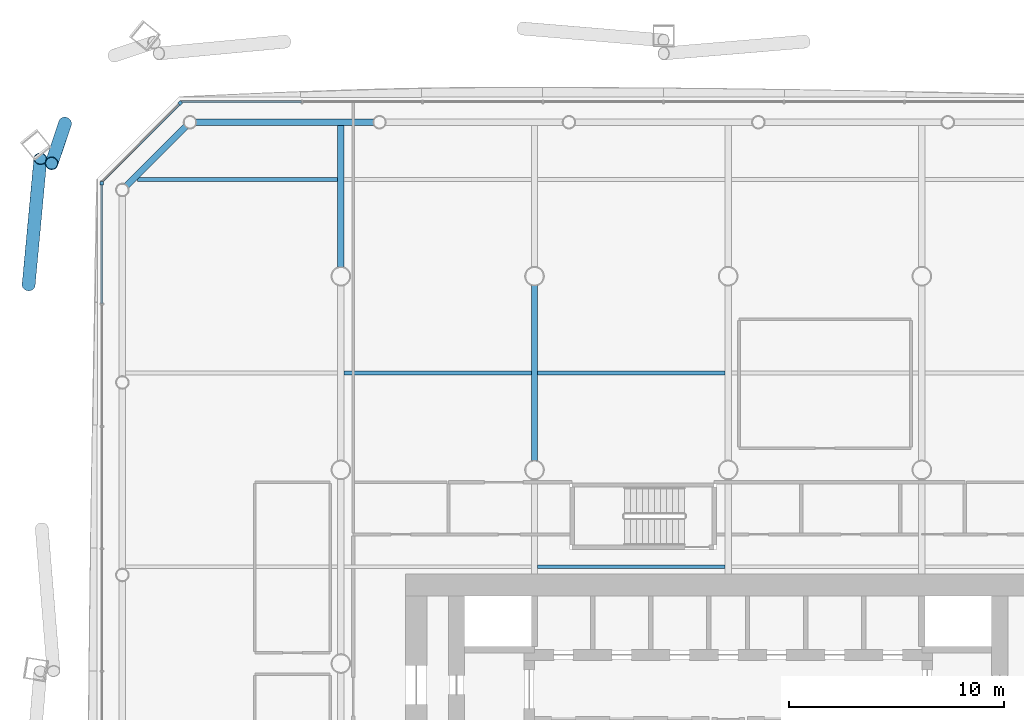
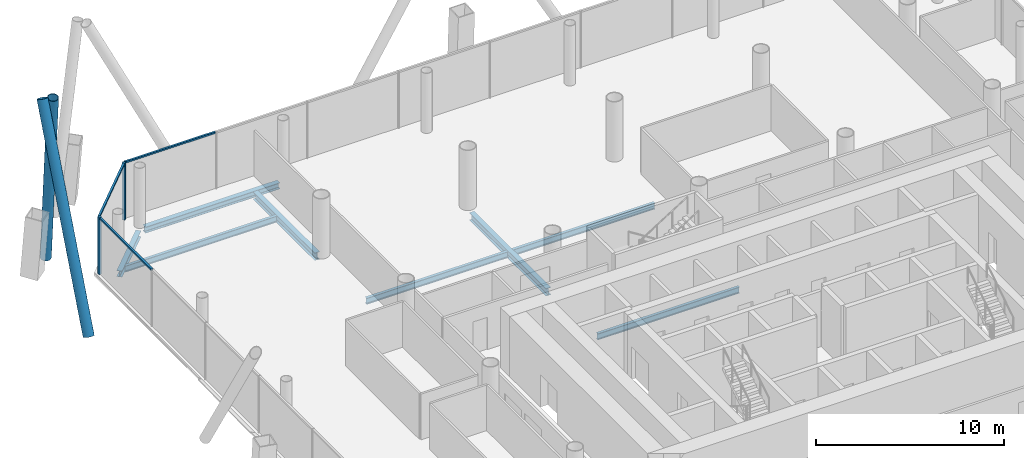
# One storey, part 8 of 21: 8 beams, 7 members, 3 elements without a shape of their own.
"""IFC4 building model written with IfcOpenShell, lengths in metres."""

from ifc_helpers import new_model, si_unit, direction, frame, origin, origin_2d, place, context, subcontext, project, spatial, rectangle, hollow_circle, i_section, extrude, material, material_profile, profile_set, type_object, element, aggregate, save


model = new_model("IFC4")

# Units and contexts
model_context = context("Model", 3, precision=1e-05, world=origin(), true_north=direction((0.0, 1.0)))
body_context = subcontext(model_context, "Body", "Model", "MODEL_VIEW")
ifc_project = project(units=[si_unit("LENGTHUNIT", "METRE"), si_unit("AREAUNIT", "SQUARE_METRE"), si_unit("VOLUMEUNIT", "CUBIC_METRE"), si_unit("PLANEANGLEUNIT", "RADIAN"), si_unit("MASSUNIT", "GRAM", prefix="KILO")], contexts=[model_context])

# Site, building, storey
site_placement = place(None, origin())
site = spatial("IfcSite", under=ifc_project, at=site_placement, CompositionType="ELEMENT")
building_placement = place(site_placement, origin())
building = spatial("IfcBuilding", under=site, at=building_placement, Name="Tskaro Facet Tower", CompositionType="ELEMENT")
storey_placement = place(building_placement, frame((0.0, 0.0, 45.89990234375)))
storey = spatial("IfcBuildingStorey", under=building, at=storey_placement, Name="L10", CompositionType="ELEMENT", Elevation=45.89990234375)

# Members
ifc_material_1 = material(Name="Steel S355J2H", Category="steel")
ifc_material_profile_1 = material_profile(ifc_material_1, hollow_circle(Radius=0.304931640625, WallThickness=0.030029296875, at=origin_2d()), Name="CHS 610x30")
ifc_profile_set_1 = profile_set([ifc_material_profile_1], Name="Steel S355J2H")
member_type_1 = type_object("IfcMemberType", Name="CHS 610x30 brace", PredefinedType="BRACE", material=ifc_profile_set_1)
member_1_placement = place(storey_placement, frame((-30.82373046875, 25.093994140625, 0.0), z_axis=(-0.052239860145, -0.155690426373, 0.986423584546), x_axis=(0.948054746371, -0.318107211302, 0.0)))
element("IfcMember", 1, at=member_1_placement, inside=storey, type_object=member_type_1, Name="CHS 610x30 XB09A/1", PredefinedType="BRACE", context=body_context, shape_type="SweptSolid", body=[
    extrude(hollow_circle(Radius=0.304931640625, WallThickness=0.030029296875, at=origin_2d()), origin(), (0.0, 0.0, 1.0), 11.861328125),
])
member_2_placement = place(storey_placement, frame((-32.51171875, 17.59716796875, 0.0), z_axis=(0.041803171614, 0.447776638968, 0.893167720217), x_axis=(-0.995670497029, 0.092953006112, 0.0)))
element("IfcMember", 2, at=member_2_placement, inside=storey, type_object=member_type_1, Name="CHS 610x30 XB10B/1", PredefinedType="BRACE", context=body_context, shape_type="SweptSolid", body=[
    extrude(hollow_circle(Radius=0.304931640625, WallThickness=0.030029296875, at=origin_2d()), origin(), (0.0, 0.0, 1.0), 13.099609375),
])

# Curtain wall, member
ifc_material_2 = material(Name="Bronze anodised aluminium 6063-T6", Category="aluminium")
curtain_wall_type = type_object("IfcCurtainWallType", Name="Bronze office curtain wall (FW1)", PredefinedType="NOTDEFINED", material=ifc_material_2)
curtain_wall_1_placement = place(storey_placement, origin())
curtain_wall_1 = element("IfcCurtainWall", 3, at=curtain_wall_1_placement, inside=storey, type_object=curtain_wall_type, Name="FW1 north-west facet L10", PredefinedType="NOTDEFINED")
ifc_material_profile_2 = material_profile(ifc_material_2, rectangle(XDim=0.159912109375, YDim=0.159912109375, at=origin_2d()), Name="Corner post 160x160")
ifc_profile_set_2 = profile_set([ifc_material_profile_2], Name="Bronze anodised aluminium 6063-T6")
member_type_2 = type_object("IfcMemberType", Name="FW1 bronze corner post 160x160", PredefinedType="MULLION", material=ifc_profile_set_2)
member_3_placement = place(storey_placement, frame((-25.461669921875, 26.050537109375, 0.0), z_axis=(0.0, 0.0, 1.0), x_axis=(-0.707106781187, -0.707106781187, 0.0)))
member_3 = element("IfcMember", 4, at=member_3_placement, type_object=member_type_2, Name="FW1 north-west corner post", PredefinedType="MULLION", context=body_context, shape_type="SweptSolid", body=[
    extrude(rectangle(XDim=0.159912109375, YDim=0.159912109375, at=origin_2d()), origin(), (0.0, 0.0, 1.0), 3.7001953125),
])

curtain_wall_2_placement = place(storey_placement, origin())
curtain_wall_2 = element("IfcCurtainWall", 5, at=curtain_wall_2_placement, inside=storey, type_object=curtain_wall_type, Name="FW1 west facet L10", PredefinedType="NOTDEFINED")
member_4_placement = place(storey_placement, frame((-29.10693359375, 22.324951171875, 0.0), z_axis=(0.0, 0.0, 1.0), x_axis=(0.0, -1.0, 0.0)))
member_4 = element("IfcMember", 6, at=member_4_placement, type_object=member_type_2, Name="FW1 west corner post", PredefinedType="MULLION", context=body_context, shape_type="SweptSolid", body=[
    extrude(rectangle(XDim=0.159912109375, YDim=0.159912109375, at=origin_2d()), origin(), (0.0, 0.0, 1.0), 3.7001953125),
])

curtain_wall_3_placement = place(storey_placement, origin())
curtain_wall_3 = element("IfcCurtainWall", 7, at=curtain_wall_3_placement, inside=storey, type_object=curtain_wall_type, Name="FW1 north facet L10", PredefinedType="NOTDEFINED")
ifc_material_profile_3 = material_profile(ifc_material_2, rectangle(XDim=0.1201171875, YDim=0.10009765625, at=origin_2d()), Name="Transom 120x100")
ifc_profile_set_3 = profile_set([ifc_material_profile_3], Name="Bronze anodised aluminium 6063-T6")
member_type_3 = type_object("IfcMemberType", Name="FW1 bronze transom 120x100", PredefinedType="USERDEFINED", material=ifc_profile_set_3)
member_5_placement = place(storey_placement, frame((-19.833740234375, 26.10693359375, 3.650146484375), z_axis=(-1.0, 0.0, 0.0), x_axis=(0.0, -1.0, 0.0)))
member_5 = element("IfcMember", 8, at=member_5_placement, type_object=member_type_3, Name="FW1 north transom 8.1", ObjectType="TRANSOM", PredefinedType="USERDEFINED", context=body_context, shape_type="SweptSolid", body=[
    extrude(rectangle(XDim=0.1201171875, YDim=0.10009765625, at=origin_2d()), origin(), (0.0, 0.0, 1.0), 5.5712890625),
])
aggregate(curtain_wall_3, [member_5])

# Member
member_6_placement = place(storey_placement, frame((-25.51806640625, 25.993896484375, 3.650146484375), z_axis=(-0.707106781187, -0.707106781187, 0.0), x_axis=(0.707106781187, -0.707106781187, 0.0)))
member_6 = element("IfcMember", 9, at=member_6_placement, type_object=member_type_3, Name="FW1 north-west transom 1.1", ObjectType="TRANSOM", PredefinedType="USERDEFINED", context=body_context, shape_type="SweptSolid", body=[
    extrude(rectangle(XDim=0.1201171875, YDim=0.10009765625, at=origin_2d()), origin(), (0.0, 0.0, 1.0), 5.075439453125),
])

aggregate(curtain_wall_1, [member_3, member_6])

member_7_placement = place(storey_placement, frame((-29.10693359375, 22.2451171875, 3.650146484375), z_axis=(0.0, -1.0, 0.0), x_axis=(1.0, 0.0, 0.0)))
member_7 = element("IfcMember", 10, at=member_7_placement, type_object=member_type_3, Name="FW1 west transom 1.1", ObjectType="TRANSOM", PredefinedType="USERDEFINED", context=body_context, shape_type="SweptSolid", body=[
    extrude(rectangle(XDim=0.1201171875, YDim=0.10009765625, at=origin_2d()), origin(), (0.0, 0.0, 1.0), 5.5009765625),
])

aggregate(curtain_wall_2, [member_4, member_7])

# Beams
ifc_material_3 = material(Name="Steel S355J2", Category="steel")
ifc_material_profile_4 = material_profile(ifc_material_3, i_section(OverallWidth=0.300048828125, OverallDepth=0.39990234375, WebThickness=0.013427734375, FlangeThickness=0.02392578125, FilletRadius=0.027099609375, at=origin_2d()), Name="HE 400 B")
ifc_profile_set_4 = profile_set([ifc_material_profile_4], Name="Steel S355J2")
beam_type_1 = type_object("IfcBeamType", Name="HE 400 B ring beam", PredefinedType="BEAM", material=ifc_profile_set_4)
beam_1_placement = place(storey_placement, frame((-16.48193359375, 25.156982421875, -0.33984375), z_axis=(-1.0, 0.0, 0.0), x_axis=(0.0, -1.0, 0.0)))
element("IfcBeam", 11, at=beam_1_placement, inside=storey, type_object=beam_type_1, Name="HE 400 B EB18-1", PredefinedType="BEAM", context=body_context, shape_type="SweptSolid", body=[
    extrude(i_section(OverallWidth=0.300048828125, OverallDepth=0.39990234375, WebThickness=0.013427734375, FlangeThickness=0.02392578125, FilletRadius=0.027099609375, at=origin_2d()), origin(), (0.0, 0.0, 1.0), 8.255126953125),
])
beam_2_placement = place(storey_placement, frame((-25.20654296875, 24.962646484375, -0.33984375), z_axis=(-0.707106781187, -0.707106781187, 0.0), x_axis=(0.707106781187, -0.707106781187, 0.0)))
element("IfcBeam", 12, at=beam_2_placement, inside=storey, type_object=beam_type_1, Name="HE 400 B EB19-1", PredefinedType="BEAM", context=body_context, shape_type="SweptSolid", body=[
    extrude(i_section(OverallWidth=0.300048828125, OverallDepth=0.39990234375, WebThickness=0.013427734375, FlangeThickness=0.02392578125, FilletRadius=0.027099609375, at=origin_2d()), origin(), (0.0, 0.0, 1.0), 3.897705078125),
])
ifc_material_profile_5 = material_profile(ifc_material_3, i_section(OverallWidth=0.300048828125, OverallDepth=0.489990234375, WebThickness=0.011962890625, FlangeThickness=0.02294921875, FilletRadius=0.027099609375, at=origin_2d()), Name="HE 500 A")
ifc_profile_set_5 = profile_set([ifc_material_profile_5], Name="Steel S355J2")
beam_type_2 = type_object("IfcBeamType", Name="HE 500 A girder", PredefinedType="BEAM", material=ifc_profile_set_5)
beam_3_placement = place(storey_placement, frame((-18.0, 18.42724609375, -0.385009765625), z_axis=(0.0, 1.0, 0.0), x_axis=(-1.0, 0.0, 0.0)))
element("IfcBeam", 13, at=beam_3_placement, inside=storey, type_object=beam_type_2, Name="HE 500 A GB2-6-1", PredefinedType="BEAM", context=body_context, shape_type="SweptSolid", body=[
    extrude(i_section(OverallWidth=0.300048828125, OverallDepth=0.489990234375, WebThickness=0.011962890625, FlangeThickness=0.02294921875, FilletRadius=0.027099609375, at=origin_2d()), origin(), (0.0, 0.0, 1.0), 6.579833984375),
])
beam_4_placement = place(storey_placement, frame((-9.0, 9.42724609375, -0.385009765625), z_axis=(0.0, 1.0, 0.0), x_axis=(-1.0, 0.0, 0.0)))
element("IfcBeam", 14, at=beam_4_placement, inside=storey, type_object=beam_type_2, Name="HE 500 A GB3-4-1", PredefinedType="BEAM", context=body_context, shape_type="SweptSolid", body=[
    extrude(i_section(OverallWidth=0.300048828125, OverallDepth=0.489990234375, WebThickness=0.011962890625, FlangeThickness=0.02294921875, FilletRadius=0.027099609375, at=origin_2d()), origin(), (0.0, 0.0, 1.0), 8.1455078125),
])
ifc_material_profile_6 = material_profile(ifc_material_3, i_section(OverallWidth=0.179931640625, OverallDepth=0.39990234375, WebThickness=0.008544921875, FlangeThickness=0.013427734375, FilletRadius=0.02099609375, at=origin_2d()), Name="IPE 400")
ifc_profile_set_6 = profile_set([ifc_material_profile_6], Name="Steel S355J2")
beam_type_3 = type_object("IfcBeamType", Name="IPE 400 secondary beam", PredefinedType="BEAM", material=ifc_profile_set_6)
for number, where, z_axis, x_axis, name in (
    (15, (-8.85009765625, 4.5, -0.33984375), (1.0, 0.0, 0.0), (0.0, 1.0, 0.0), "IPE 400 SB4a-3-1"),
    (16, (-17.85009765625, 13.5, -0.33984375), (1.0, 0.0, 0.0), (0.0, 1.0, 0.0), "IPE 400 SB5a-2-1"),
    (17, (-8.85009765625, 13.5, -0.33984375), (1.0, 0.0, 0.0), (0.0, 1.0, 0.0), "IPE 400 SB5a-3-1"),
):
    element("IfcBeam", number, at=place(storey_placement, frame(where, z_axis=z_axis, x_axis=x_axis)), inside=storey, type_object=beam_type_3, Name=name, PredefinedType="BEAM", context=body_context, shape_type="SweptSolid", body=[
        extrude(i_section(OverallWidth=0.179931640625, OverallDepth=0.39990234375, WebThickness=0.008544921875, FlangeThickness=0.013427734375, FilletRadius=0.02099609375, at=origin_2d()), origin(), (0.0, 0.0, 1.0), 8.7001953125),
    ])
beam_5_placement = place(storey_placement, frame((-27.45703125, 22.5, -0.33984375), z_axis=(1.0, 0.0, 0.0), x_axis=(0.0, 1.0, 0.0)))
element("IfcBeam", 18, at=beam_5_placement, inside=storey, type_object=beam_type_3, Name="IPE 400 SB6a-1-1", PredefinedType="BEAM", context=body_context, shape_type="SweptSolid", body=[
    extrude(i_section(OverallWidth=0.179931640625, OverallDepth=0.39990234375, WebThickness=0.008544921875, FlangeThickness=0.013427734375, FilletRadius=0.02099609375, at=origin_2d()), origin(), (0.0, 0.0, 1.0), 9.30712890625),
])

save(model, "model.ifc")
